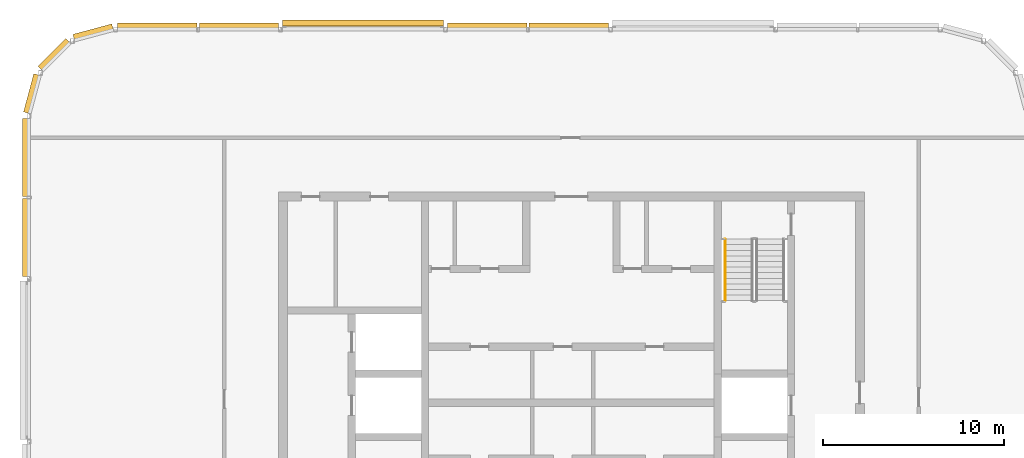
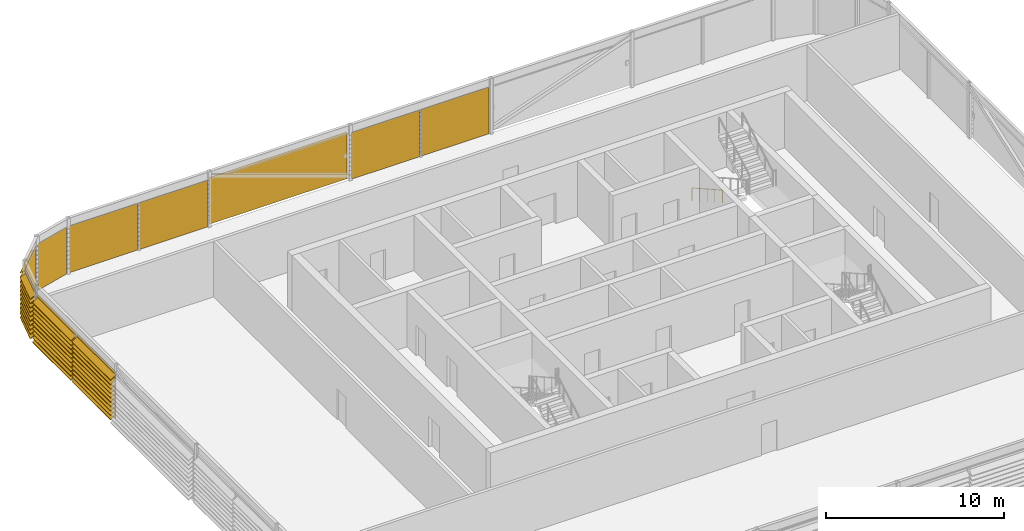
# One storey, part 27 of 28: 10 shading devices, 1 railing.
"""IFC4 building model written with IfcOpenShell, lengths in metres."""

from ifc_helpers import new_model, si_unit, direction, frame, origin, origin_2d, place, context, subcontext, project, spatial, polyline, circle, outline, extrude, material, type_object, element, save


model = new_model("IFC4")

# Units and contexts
model_context = context("Model", 3, precision=1e-05, world=origin(), true_north=direction((0.0, 1.0)))
body_context = subcontext(model_context, "Body", "Model", "MODEL_VIEW")
ifc_project = project(units=[si_unit("LENGTHUNIT", "METRE"), si_unit("AREAUNIT", "SQUARE_METRE"), si_unit("VOLUMEUNIT", "CUBIC_METRE"), si_unit("PLANEANGLEUNIT", "RADIAN"), si_unit("MASSUNIT", "GRAM", prefix="KILO")], contexts=[model_context])

# Site, building, storey
site_placement = place(None, origin())
site = spatial("IfcSite", under=ifc_project, at=site_placement, CompositionType="ELEMENT")
building_placement = place(site_placement, origin())
building = spatial("IfcBuilding", under=site, at=building_placement, Name="Madar Terraces", CompositionType="ELEMENT")
storey_placement = place(building_placement, frame((0.0, 0.0, 305.89990234375)))
storey = spatial("IfcBuildingStorey", under=building, at=storey_placement, Name="L79", CompositionType="ELEMENT", Elevation=305.89990234375)

# Shading devices
ifc_material_1 = material(Name="Aluminium, black anodised", Category="aluminium")
shading_device_type = type_object("IfcShadingDeviceType", Name="Crown louvre bank", PredefinedType="USERDEFINED", material=ifc_material_1)
shading_device_1_placement = place(storey_placement, frame((33.25830078125, 46.800048828125, 0.0), z_axis=(-1.0, 0.0, 0.0), x_axis=(0.0, -1.0, 0.0)))
element("IfcShadingDevice", 1, at=shading_device_1_placement, inside=storey, type_object=shading_device_type, Name="LOUVRE bank L79 18.1", ObjectType="LOUVRE", PredefinedType="USERDEFINED", context=body_context, shape_type="SweptSolid", body=[
    extrude(outline(polyline([(0.014892578125, 0.0), (-0.014892578125, 0.0), (-0.014892578125, 0.24951171875), (-0.3427734375, 0.02001953125), (-0.3427734375, 0.06884765625), (-0.014892578125, 0.29833984375), (-0.014892578125, 0.54931640625), (-0.3427734375, 0.320068359375), (-0.3427734375, 0.368896484375), (-0.014892578125, 0.59814453125), (-0.014892578125, 0.849365234375), (-0.3427734375, 0.6201171875), (-0.3427734375, 0.6689453125), (-0.014892578125, 0.898193359375), (-0.014892578125, 1.1494140625), (-0.3427734375, 0.919921875), (-0.3427734375, 0.96875), (-0.014892578125, 1.1982421875), (-0.014892578125, 1.449462890625), (-0.3427734375, 1.219970703125), (-0.3427734375, 1.268798828125), (-0.014892578125, 1.498291015625), (-0.014892578125, 1.74951171875), (-0.3427734375, 1.52001953125), (-0.3427734375, 1.56884765625), (-0.014892578125, 1.79833984375), (-0.014892578125, 2.04931640625), (-0.3427734375, 1.820068359375), (-0.3427734375, 1.868896484375), (-0.014892578125, 2.09814453125), (-0.014892578125, 2.349365234375), (-0.3427734375, 2.1201171875), (-0.3427734375, 2.1689453125), (-0.014892578125, 2.398193359375), (-0.014892578125, 2.6494140625), (-0.3427734375, 2.419921875), (-0.3427734375, 2.46875), (-0.014892578125, 2.6982421875), (-0.014892578125, 2.949462890625), (-0.3427734375, 2.719970703125), (-0.3427734375, 2.768798828125), (-0.014892578125, 2.998291015625), (-0.014892578125, 3.197998046875), (0.014892578125, 3.197998046875), (0.014892578125, 0.0)])), origin(), (0.0, 0.0, 1.0), 4.394775390625),
])
shading_device_2_placement = place(storey_placement, frame((28.736572265625, 46.800048828125, 0.0), z_axis=(-1.0, 0.0, 0.0), x_axis=(0.0, -1.0, 0.0)))
element("IfcShadingDevice", 2, at=shading_device_2_placement, inside=storey, type_object=shading_device_type, Name="LOUVRE bank L79 18.2", ObjectType="LOUVRE", PredefinedType="USERDEFINED", context=body_context, shape_type="SweptSolid", body=[
    extrude(outline(polyline([(0.014892578125, 0.0), (-0.014892578125, 0.0), (-0.014892578125, 0.24951171875), (-0.3427734375, 0.02001953125), (-0.3427734375, 0.06884765625), (-0.014892578125, 0.29833984375), (-0.014892578125, 0.54931640625), (-0.3427734375, 0.320068359375), (-0.3427734375, 0.368896484375), (-0.014892578125, 0.59814453125), (-0.014892578125, 0.849365234375), (-0.3427734375, 0.6201171875), (-0.3427734375, 0.6689453125), (-0.014892578125, 0.898193359375), (-0.014892578125, 1.1494140625), (-0.3427734375, 0.919921875), (-0.3427734375, 0.96875), (-0.014892578125, 1.1982421875), (-0.014892578125, 1.449462890625), (-0.3427734375, 1.219970703125), (-0.3427734375, 1.268798828125), (-0.014892578125, 1.498291015625), (-0.014892578125, 1.74951171875), (-0.3427734375, 1.52001953125), (-0.3427734375, 1.56884765625), (-0.014892578125, 1.79833984375), (-0.014892578125, 2.04931640625), (-0.3427734375, 1.820068359375), (-0.3427734375, 1.868896484375), (-0.014892578125, 2.09814453125), (-0.014892578125, 2.349365234375), (-0.3427734375, 2.1201171875), (-0.3427734375, 2.1689453125), (-0.014892578125, 2.398193359375), (-0.014892578125, 2.6494140625), (-0.3427734375, 2.419921875), (-0.3427734375, 2.46875), (-0.014892578125, 2.6982421875), (-0.014892578125, 2.949462890625), (-0.3427734375, 2.719970703125), (-0.3427734375, 2.768798828125), (-0.014892578125, 2.998291015625), (-0.014892578125, 3.197998046875), (0.014892578125, 3.197998046875), (0.014892578125, 0.0)])), origin(), (0.0, 0.0, 1.0), 4.39501953125),
])
shading_device_3_placement = place(storey_placement, frame((24.138427734375, 46.800048828125, 0.0), z_axis=(-1.0, 0.0, 0.0), x_axis=(0.0, -1.0, 0.0)))
element("IfcShadingDevice", 3, at=shading_device_3_placement, inside=storey, type_object=shading_device_type, Name="LOUVRE bank L79 19.1", ObjectType="LOUVRE", PredefinedType="USERDEFINED", context=body_context, shape_type="SweptSolid", body=[
    extrude(outline(polyline([(-0.156982421875, 0.0), (-0.18701171875, 0.0), (-0.18701171875, 0.24951171875), (-0.5146484375, 0.02001953125), (-0.5146484375, 0.06884765625), (-0.18701171875, 0.29833984375), (-0.18701171875, 0.54931640625), (-0.5146484375, 0.320068359375), (-0.5146484375, 0.368896484375), (-0.18701171875, 0.59814453125), (-0.18701171875, 0.849365234375), (-0.5146484375, 0.6201171875), (-0.5146484375, 0.6689453125), (-0.18701171875, 0.898193359375), (-0.18701171875, 1.1494140625), (-0.5146484375, 0.919921875), (-0.5146484375, 0.96875), (-0.18701171875, 1.1982421875), (-0.18701171875, 1.449462890625), (-0.5146484375, 1.219970703125), (-0.5146484375, 1.268798828125), (-0.18701171875, 1.498291015625), (-0.18701171875, 1.74951171875), (-0.5146484375, 1.52001953125), (-0.5146484375, 1.56884765625), (-0.18701171875, 1.79833984375), (-0.18701171875, 2.04931640625), (-0.5146484375, 1.820068359375), (-0.5146484375, 1.868896484375), (-0.18701171875, 2.09814453125), (-0.18701171875, 2.349365234375), (-0.5146484375, 2.1201171875), (-0.5146484375, 2.1689453125), (-0.18701171875, 2.398193359375), (-0.18701171875, 2.6494140625), (-0.5146484375, 2.419921875), (-0.5146484375, 2.46875), (-0.18701171875, 2.6982421875), (-0.18701171875, 2.949462890625), (-0.5146484375, 2.719970703125), (-0.5146484375, 2.768798828125), (-0.18701171875, 2.998291015625), (-0.18701171875, 3.197998046875), (-0.156982421875, 3.197998046875), (-0.156982421875, 0.0)])), origin(), (0.0, 0.0, 1.0), 8.916748046875),
])
shading_device_4_placement = place(storey_placement, frame((15.018310546875, 46.800048828125, 0.0), z_axis=(-1.0, 0.0, 0.0), x_axis=(0.0, -1.0, 0.0)))
element("IfcShadingDevice", 4, at=shading_device_4_placement, inside=storey, type_object=shading_device_type, Name="LOUVRE bank L79 20.1", ObjectType="LOUVRE", PredefinedType="USERDEFINED", context=body_context, shape_type="SweptSolid", body=[
    extrude(outline(polyline([(0.014892578125, 0.0), (-0.014892578125, 0.0), (-0.014892578125, 0.24951171875), (-0.3427734375, 0.02001953125), (-0.3427734375, 0.06884765625), (-0.014892578125, 0.29833984375), (-0.014892578125, 0.54931640625), (-0.3427734375, 0.320068359375), (-0.3427734375, 0.368896484375), (-0.014892578125, 0.59814453125), (-0.014892578125, 0.849365234375), (-0.3427734375, 0.6201171875), (-0.3427734375, 0.6689453125), (-0.014892578125, 0.898193359375), (-0.014892578125, 1.1494140625), (-0.3427734375, 0.919921875), (-0.3427734375, 0.96875), (-0.014892578125, 1.1982421875), (-0.014892578125, 1.449462890625), (-0.3427734375, 1.219970703125), (-0.3427734375, 1.268798828125), (-0.014892578125, 1.498291015625), (-0.014892578125, 1.74951171875), (-0.3427734375, 1.52001953125), (-0.3427734375, 1.56884765625), (-0.014892578125, 1.79833984375), (-0.014892578125, 2.04931640625), (-0.3427734375, 1.820068359375), (-0.3427734375, 1.868896484375), (-0.014892578125, 2.09814453125), (-0.014892578125, 2.349365234375), (-0.3427734375, 2.1201171875), (-0.3427734375, 2.1689453125), (-0.014892578125, 2.398193359375), (-0.014892578125, 2.6494140625), (-0.3427734375, 2.419921875), (-0.3427734375, 2.46875), (-0.014892578125, 2.6982421875), (-0.014892578125, 2.949462890625), (-0.3427734375, 2.719970703125), (-0.3427734375, 2.768798828125), (-0.014892578125, 2.998291015625), (-0.014892578125, 3.197998046875), (0.014892578125, 3.197998046875), (0.014892578125, 0.0)])), origin(), (0.0, 0.0, 1.0), 4.394775390625),
])
shading_device_5_placement = place(storey_placement, frame((10.49658203125, 46.800048828125, 0.0), z_axis=(-1.0, 0.0, 0.0), x_axis=(0.0, -1.0, 0.0)))
element("IfcShadingDevice", 5, at=shading_device_5_placement, inside=storey, type_object=shading_device_type, Name="LOUVRE bank L79 20.2", ObjectType="LOUVRE", PredefinedType="USERDEFINED", context=body_context, shape_type="SweptSolid", body=[
    extrude(outline(polyline([(0.014892578125, 0.0), (-0.014892578125, 0.0), (-0.014892578125, 0.24951171875), (-0.3427734375, 0.02001953125), (-0.3427734375, 0.06884765625), (-0.014892578125, 0.29833984375), (-0.014892578125, 0.54931640625), (-0.3427734375, 0.320068359375), (-0.3427734375, 0.368896484375), (-0.014892578125, 0.59814453125), (-0.014892578125, 0.849365234375), (-0.3427734375, 0.6201171875), (-0.3427734375, 0.6689453125), (-0.014892578125, 0.898193359375), (-0.014892578125, 1.1494140625), (-0.3427734375, 0.919921875), (-0.3427734375, 0.96875), (-0.014892578125, 1.1982421875), (-0.014892578125, 1.449462890625), (-0.3427734375, 1.219970703125), (-0.3427734375, 1.268798828125), (-0.014892578125, 1.498291015625), (-0.014892578125, 1.74951171875), (-0.3427734375, 1.52001953125), (-0.3427734375, 1.56884765625), (-0.014892578125, 1.79833984375), (-0.014892578125, 2.04931640625), (-0.3427734375, 1.820068359375), (-0.3427734375, 1.868896484375), (-0.014892578125, 2.09814453125), (-0.014892578125, 2.349365234375), (-0.3427734375, 2.1201171875), (-0.3427734375, 2.1689453125), (-0.014892578125, 2.398193359375), (-0.014892578125, 2.6494140625), (-0.3427734375, 2.419921875), (-0.3427734375, 2.46875), (-0.014892578125, 2.6982421875), (-0.014892578125, 2.949462890625), (-0.3427734375, 2.719970703125), (-0.3427734375, 2.768798828125), (-0.014892578125, 2.998291015625), (-0.014892578125, 3.197998046875), (0.014892578125, 3.197998046875), (0.014892578125, 0.0)])), origin(), (0.0, 0.0, 1.0), 4.39501953125),
])
shading_device_6_placement = place(storey_placement, frame((5.87353515625, 46.76611328125, 0.0), z_axis=(-0.965935304808, -0.258783668197, 0.0), x_axis=(0.258783668197, -0.965935304808, 0.0)))
element("IfcShadingDevice", 6, at=shading_device_6_placement, inside=storey, type_object=shading_device_type, Name="LOUVRE bank L79 21.1", ObjectType="LOUVRE", PredefinedType="USERDEFINED", context=body_context, shape_type="SweptSolid", body=[
    extrude(outline(polyline([(0.014892578125, 0.0), (-0.014892578125, 0.0), (-0.014892578125, 0.24951171875), (-0.3427734375, 0.02001953125), (-0.3427734375, 0.06884765625), (-0.014892578125, 0.29833984375), (-0.014892578125, 0.54931640625), (-0.3427734375, 0.320068359375), (-0.3427734375, 0.368896484375), (-0.014892578125, 0.59814453125), (-0.014892578125, 0.849365234375), (-0.3427734375, 0.6201171875), (-0.3427734375, 0.6689453125), (-0.014892578125, 0.898193359375), (-0.014892578125, 1.1494140625), (-0.3427734375, 0.919921875), (-0.3427734375, 0.96875), (-0.014892578125, 1.1982421875), (-0.014892578125, 1.449462890625), (-0.3427734375, 1.219970703125), (-0.3427734375, 1.268798828125), (-0.014892578125, 1.498291015625), (-0.014892578125, 1.74951171875), (-0.3427734375, 1.52001953125), (-0.3427734375, 1.56884765625), (-0.014892578125, 1.79833984375), (-0.014892578125, 2.04931640625), (-0.3427734375, 1.820068359375), (-0.3427734375, 1.868896484375), (-0.014892578125, 2.09814453125), (-0.014892578125, 2.349365234375), (-0.3427734375, 2.1201171875), (-0.3427734375, 2.1689453125), (-0.014892578125, 2.398193359375), (-0.014892578125, 2.6494140625), (-0.3427734375, 2.419921875), (-0.3427734375, 2.46875), (-0.014892578125, 2.6982421875), (-0.014892578125, 2.949462890625), (-0.3427734375, 2.719970703125), (-0.3427734375, 2.768798828125), (-0.014892578125, 2.998291015625), (-0.014892578125, 3.197998046875), (0.014892578125, 3.197998046875), (0.014892578125, 0.0)])), origin(), (0.0, 0.0, 1.0), 2.22265625),
])
shading_device_7_placement = place(storey_placement, frame((3.485595703125, 46.042724609375, 0.0), z_axis=(-0.707106781187, -0.707106781187, 0.0), x_axis=(0.707106781187, -0.707106781187, 0.0)))
element("IfcShadingDevice", 7, at=shading_device_7_placement, inside=storey, type_object=shading_device_type, Name="LOUVRE bank L79 22.1", ObjectType="LOUVRE", PredefinedType="USERDEFINED", context=body_context, shape_type="SweptSolid", body=[
    extrude(outline(polyline([(0.014892578125, 0.0), (-0.014892578125, 0.0), (-0.014892578125, 0.24951171875), (-0.3427734375, 0.02001953125), (-0.3427734375, 0.06884765625), (-0.014892578125, 0.29833984375), (-0.014892578125, 0.54931640625), (-0.3427734375, 0.320068359375), (-0.3427734375, 0.368896484375), (-0.014892578125, 0.59814453125), (-0.014892578125, 0.849365234375), (-0.3427734375, 0.6201171875), (-0.3427734375, 0.6689453125), (-0.014892578125, 0.898193359375), (-0.014892578125, 1.1494140625), (-0.3427734375, 0.919921875), (-0.3427734375, 0.96875), (-0.014892578125, 1.1982421875), (-0.014892578125, 1.449462890625), (-0.3427734375, 1.219970703125), (-0.3427734375, 1.268798828125), (-0.014892578125, 1.498291015625), (-0.014892578125, 1.74951171875), (-0.3427734375, 1.52001953125), (-0.3427734375, 1.56884765625), (-0.014892578125, 1.79833984375), (-0.014892578125, 2.04931640625), (-0.3427734375, 1.820068359375), (-0.3427734375, 1.868896484375), (-0.014892578125, 2.09814453125), (-0.014892578125, 2.349365234375), (-0.3427734375, 2.1201171875), (-0.3427734375, 2.1689453125), (-0.014892578125, 2.398193359375), (-0.014892578125, 2.6494140625), (-0.3427734375, 2.419921875), (-0.3427734375, 2.46875), (-0.014892578125, 2.6982421875), (-0.014892578125, 2.949462890625), (-0.3427734375, 2.719970703125), (-0.3427734375, 2.768798828125), (-0.014892578125, 2.998291015625), (-0.014892578125, 3.197998046875), (0.014892578125, 3.197998046875), (0.014892578125, 0.0)])), origin(), (0.0, 0.0, 1.0), 2.161376953125),
])
shading_device_8_placement = place(storey_placement, frame((1.804443359375, 44.256103515625, 0.0), z_axis=(-0.258788169352, -0.965934098893, 0.0), x_axis=(0.965934098893, -0.258788169352, 0.0)))
element("IfcShadingDevice", 8, at=shading_device_8_placement, inside=storey, type_object=shading_device_type, Name="LOUVRE bank L79 23.1", ObjectType="LOUVRE", PredefinedType="USERDEFINED", context=body_context, shape_type="SweptSolid", body=[
    extrude(outline(polyline([(0.014892578125, 0.0), (-0.014892578125, 0.0), (-0.014892578125, 0.24951171875), (-0.3427734375, 0.02001953125), (-0.3427734375, 0.06884765625), (-0.014892578125, 0.29833984375), (-0.014892578125, 0.54931640625), (-0.3427734375, 0.320068359375), (-0.3427734375, 0.368896484375), (-0.014892578125, 0.59814453125), (-0.014892578125, 0.849365234375), (-0.3427734375, 0.6201171875), (-0.3427734375, 0.6689453125), (-0.014892578125, 0.898193359375), (-0.014892578125, 1.1494140625), (-0.3427734375, 0.919921875), (-0.3427734375, 0.96875), (-0.014892578125, 1.1982421875), (-0.014892578125, 1.449462890625), (-0.3427734375, 1.219970703125), (-0.3427734375, 1.268798828125), (-0.014892578125, 1.498291015625), (-0.014892578125, 1.74951171875), (-0.3427734375, 1.52001953125), (-0.3427734375, 1.56884765625), (-0.014892578125, 1.79833984375), (-0.014892578125, 2.04931640625), (-0.3427734375, 1.820068359375), (-0.3427734375, 1.868896484375), (-0.014892578125, 2.09814453125), (-0.014892578125, 2.349365234375), (-0.3427734375, 2.1201171875), (-0.3427734375, 2.1689453125), (-0.014892578125, 2.398193359375), (-0.014892578125, 2.6494140625), (-0.3427734375, 2.419921875), (-0.3427734375, 2.46875), (-0.014892578125, 2.6982421875), (-0.014892578125, 2.949462890625), (-0.3427734375, 2.719970703125), (-0.3427734375, 2.768798828125), (-0.014892578125, 2.998291015625), (-0.014892578125, 3.197998046875), (0.014892578125, 3.197998046875), (0.014892578125, 0.0)])), origin(), (0.0, 0.0, 1.0), 2.186767578125),
])
for number, where, z_axis, x_axis, name in (
    (9, (1.199951171875, 41.873046875, 0.0), (0.0, -1.0, 0.0), (1.0, 0.0, 0.0), "LOUVRE bank L79 24.1"),
    (10, (1.199951171875, 37.4365234375, 0.0), (0.0, -1.0, 0.0), (1.0, 0.0, 0.0), "LOUVRE bank L79 24.2"),
):
    element("IfcShadingDevice", number, at=place(storey_placement, frame(where, z_axis=z_axis, x_axis=x_axis)), inside=storey, type_object=shading_device_type, Name=name, ObjectType="LOUVRE", PredefinedType="USERDEFINED", context=body_context, shape_type="SweptSolid", body=[
        extrude(outline(polyline([(0.014892578125, 0.0), (-0.014892578125, 0.0), (-0.014892578125, 0.24951171875), (-0.3427734375, 0.02001953125), (-0.3427734375, 0.06884765625), (-0.014892578125, 0.29833984375), (-0.014892578125, 0.54931640625), (-0.3427734375, 0.320068359375), (-0.3427734375, 0.368896484375), (-0.014892578125, 0.59814453125), (-0.014892578125, 0.849365234375), (-0.3427734375, 0.6201171875), (-0.3427734375, 0.6689453125), (-0.014892578125, 0.898193359375), (-0.014892578125, 1.1494140625), (-0.3427734375, 0.919921875), (-0.3427734375, 0.96875), (-0.014892578125, 1.1982421875), (-0.014892578125, 1.449462890625), (-0.3427734375, 1.219970703125), (-0.3427734375, 1.268798828125), (-0.014892578125, 1.498291015625), (-0.014892578125, 1.74951171875), (-0.3427734375, 1.52001953125), (-0.3427734375, 1.56884765625), (-0.014892578125, 1.79833984375), (-0.014892578125, 2.04931640625), (-0.3427734375, 1.820068359375), (-0.3427734375, 1.868896484375), (-0.014892578125, 2.09814453125), (-0.014892578125, 2.349365234375), (-0.3427734375, 2.1201171875), (-0.3427734375, 2.1689453125), (-0.014892578125, 2.398193359375), (-0.014892578125, 2.6494140625), (-0.3427734375, 2.419921875), (-0.3427734375, 2.46875), (-0.014892578125, 2.6982421875), (-0.014892578125, 2.949462890625), (-0.3427734375, 2.719970703125), (-0.3427734375, 2.768798828125), (-0.014892578125, 2.998291015625), (-0.014892578125, 3.197998046875), (0.014892578125, 3.197998046875), (0.014892578125, 0.0)])), origin(), (0.0, 0.0, 1.0), 4.3095703125),
    ])

# Railing
ifc_material_2 = material(Name="Stainless steel railing", Category="steel")
railing_type = type_object("IfcRailingType", Name="Stair handrail 900", PredefinedType="HANDRAIL", material=ifc_material_2)
railing_placement = place(storey_placement, frame((39.699951171875, 35.199951171875, 0.175048828125)))
element("IfcRailing", 11, at=railing_placement, inside=storey, type_object=railing_type, Name="L79 ST2 stair handrail 1", PredefinedType="HANDRAIL", context=body_context, shape_type="SweptSolid", body=[
    extrude(circle(Radius=0.02392578125, at=origin_2d()), frame((0.0, 0.0, 0.8759765625), z_axis=(0.0, -0.87081354652, 0.491613432685), x_axis=(1.0, 0.0, 0.0)), (0.0, 0.0, 1.0), 3.915771484375),
    extrude(circle(Radius=0.02099609375, at=origin_2d()), origin(), (0.0, 0.0, 1.0), 0.851806640625),
    extrude(circle(Radius=0.02099609375, at=origin_2d()), frame((0.0, -0.8525390625, 0.481201171875)), (0.0, 0.0, 1.0), 0.851806640625),
    extrude(circle(Radius=0.02099609375, at=origin_2d()), frame((0.0, -1.705078125, 0.96240234375)), (0.0, 0.0, 1.0), 0.851806640625),
    extrude(circle(Radius=0.02099609375, at=origin_2d()), frame((0.0, -2.557373046875, 1.44384765625)), (0.0, 0.0, 1.0), 0.851806640625),
    extrude(circle(Radius=0.02099609375, at=origin_2d()), frame((0.0, -3.409912109375, 1.925048828125)), (0.0, 0.0, 1.0), 0.851806640625),
])

save(model, "model.ifc")
